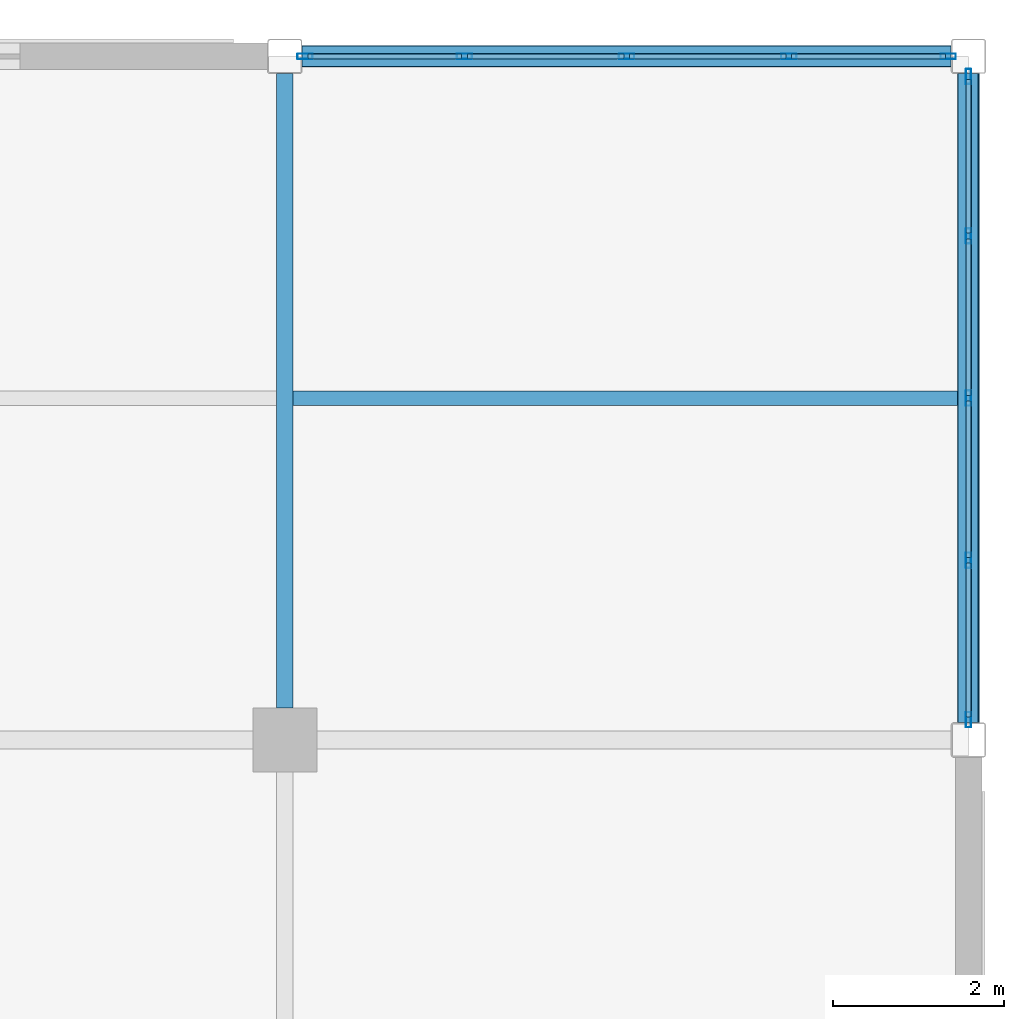
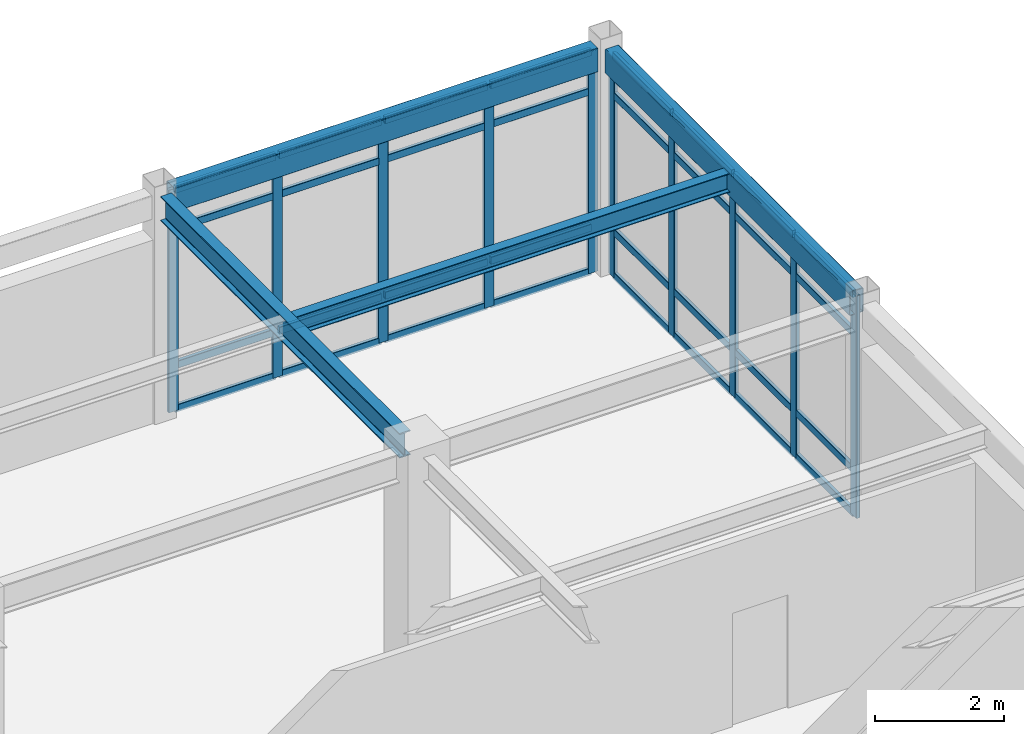
# One storey, part 73 of 111: 42 members, 4 beams, 2 elements without a shape of their own.
"""IFC4 building model written with IfcOpenShell, lengths in metres."""

from ifc_helpers import new_model, si_unit, direction, frame, origin, origin_2d, place, context, subcontext, project, spatial, hollow_rectangle, i_section, extrude, material, material_profile, profile_set, type_object, element, aggregate, save


model = new_model("IFC4")

# Units and contexts
model_context = context("Model", 3, precision=1e-05, world=origin(), true_north=direction((0.0, 1.0)))
body_context = subcontext(model_context, "Body", "Model", "MODEL_VIEW")
ifc_project = project(units=[si_unit("LENGTHUNIT", "METRE"), si_unit("AREAUNIT", "SQUARE_METRE"), si_unit("VOLUMEUNIT", "CUBIC_METRE"), si_unit("PLANEANGLEUNIT", "RADIAN"), si_unit("MASSUNIT", "GRAM", prefix="KILO")], contexts=[model_context])

# Site, building, storey
site_placement = place(None, origin())
site = spatial("IfcSite", under=ifc_project, at=site_placement, CompositionType="ELEMENT")
building_placement = place(site_placement, origin())
building = spatial("IfcBuilding", under=site, at=building_placement, Name="Solmirada Galleria", CompositionType="ELEMENT")
storey_placement = place(building_placement, frame((0.0, 0.0, 10.39990234375)))
storey = spatial("IfcBuildingStorey", under=building, at=storey_placement, Name="L02", CompositionType="ELEMENT", Elevation=10.39990234375)

# Beams
ifc_material_1 = material(Name="Steel S355 / ASTM A992 Grade 50", Category="steel")
ifc_material_profile_1 = material_profile(ifc_material_1, i_section(OverallWidth=0.194091796875, OverallDepth=0.468994140625, WebThickness=0.0126953125, FlangeThickness=0.0205078125, FilletRadius=0.013916015625, at=origin_2d()), Name="W18X71")
ifc_profile_set_1 = profile_set([ifc_material_profile_1], Name="Steel S355 / ASTM A992 Grade 50")
beam_type_1 = type_object("IfcBeamType", Name="BM-GIRD-W18B", PredefinedType="BEAM", material=ifc_profile_set_1)
beam_1_placement = place(storey_placement, frame((168.0, 112.375, 4.065673828125), z_axis=(0.0, 1.0, 0.0), x_axis=(-1.0, 0.0, 0.0)))
element("IfcBeam", 1, at=beam_1_placement, inside=storey, type_object=beam_type_1, Name="Primary girder L03 Y(168, 112..120)", PredefinedType="BEAM", context=body_context, shape_type="SweptSolid", body=[
    extrude(i_section(OverallWidth=0.194091796875, OverallDepth=0.468994140625, WebThickness=0.0126953125, FlangeThickness=0.0205078125, FilletRadius=0.013916015625, at=origin_2d()), origin(), (0.0, 0.0, 1.0), 7.422119140625),
])
ifc_material_profile_2 = material_profile(ifc_material_1, i_section(OverallWidth=0.172119140625, OverallDepth=0.35791015625, WebThickness=0.0078125, FlangeThickness=0.01318359375, FilletRadius=0.011962890625, at=origin_2d()), Name="W14X38")
ifc_profile_set_2 = profile_set([ifc_material_profile_2], Name="Steel S355 / ASTM A992 Grade 50")
beam_type_2 = type_object("IfcBeamType", Name="BM-JST-W14A", PredefinedType="JOIST", material=ifc_profile_set_2)
beam_2_placement = place(storey_placement, frame((168.096923828125, 116.0, 4.12109375), z_axis=(1.0, 0.0, 0.0), x_axis=(0.0, 1.0, 0.0)))
element("IfcBeam", 2, at=beam_2_placement, inside=storey, type_object=beam_type_2, Name="Composite floor joist L03 (168..176, 116.0)", PredefinedType="JOIST", context=body_context, shape_type="SweptSolid", body=[
    extrude(i_section(OverallWidth=0.172119140625, OverallDepth=0.35791015625, WebThickness=0.0078125, FlangeThickness=0.01318359375, FilletRadius=0.011962890625, at=origin_2d()), origin(), (0.0, 0.0, 1.0), 7.776123046875),
])
ifc_material_2 = material(Name="Steel S355 / ASTM A500 Grade C", Category="steel")
ifc_material_profile_3 = material_profile(ifc_material_2, hollow_rectangle(XDim=0.25390625, YDim=0.45703125, WallThickness=0.01171875, InnerFilletRadius=0.01171875, OuterFilletRadius=0.023681640625, at=origin_2d()), Name="HSS18X10X1/2")
ifc_profile_set_3 = profile_set([ifc_material_profile_3], Name="Steel S355 / ASTM A500 Grade C")
beam_type_3 = type_object("IfcBeamType", Name="BM-SPAND-W18", PredefinedType="SPANDREL", material=ifc_profile_set_3)
for number, where, z_axis, x_axis, name in (
    (3, (168.202880859375, 120.0, 4.071533203125), (1.0, 0.0, 0.0), (0.0, 1.0, 0.0), "Primary beam L03 X(168..176, 120)"),
    (4, (176.0, 112.202880859375, 4.071533203125), (0.0, 1.0, 0.0), (-1.0, 0.0, 0.0), "Primary girder L03 Y(176, 112..120)"),
):
    element("IfcBeam", number, at=place(storey_placement, frame(where, z_axis=z_axis, x_axis=x_axis)), inside=storey, type_object=beam_type_3, Name=name, PredefinedType="SPANDREL", context=body_context, shape_type="SweptSolid", body=[
        extrude(hollow_rectangle(XDim=0.25390625, YDim=0.45703125, WallThickness=0.01171875, InnerFilletRadius=0.01171875, OuterFilletRadius=0.023681640625, at=origin_2d()), origin(), (0.0, 0.0, 1.0), 7.59423828125),
    ])

# Curtain wall, members
ifc_material_3 = material(Name="Impact-resistant low-E double glazing", Category="glass")
curtain_wall_type = type_object("IfcCurtainWallType", Name="CW-FZ2-L02-B4-L076", PredefinedType="NOTDEFINED", material=ifc_material_3)
curtain_wall_1_placement = place(storey_placement, origin())
curtain_wall_1 = element("IfcCurtainWall", 5, at=curtain_wall_1_placement, inside=storey, type_object=curtain_wall_type, Name="Terrace and arcade storefront CW-L02-099", PredefinedType="NOTDEFINED")
ifc_material_4 = material(Name="Anodised aluminium framing", Category="aluminium")
ifc_material_profile_4 = material_profile(ifc_material_4, hollow_rectangle(XDim=0.06494140625, YDim=0.179931640625, WallThickness=0.00390625, InnerFilletRadius=0.00390625, OuterFilletRadius=0.008056640625, at=origin_2d()), Name="ALU-MULL-180X65")
ifc_profile_set_4 = profile_set([ifc_material_profile_4], Name="Anodised aluminium framing")
member_type_1 = type_object("IfcMemberType", Name="CW-MULL-180", PredefinedType="MULLION", material=ifc_profile_set_4)
member_1_placement = place(storey_placement, frame((168.237548828125, 120.0, 0.0), z_axis=(0.0, 0.0, 1.0), x_axis=(0.0, 1.0, 0.0)))
member_1 = element("IfcMember", 6, at=member_1_placement, type_object=member_type_1, Name="CW24 mullion 1", PredefinedType="MULLION", context=body_context, shape_type="SweptSolid", body=[
    extrude(hollow_rectangle(XDim=0.06494140625, YDim=0.179931640625, WallThickness=0.00390625, InnerFilletRadius=0.00390625, OuterFilletRadius=0.008056640625, at=origin_2d()), origin(), (0.0, 0.0, 1.0), 4.22021484375),
])
member_2_placement = place(storey_placement, frame((170.1025390625, 120.0, 0.0), z_axis=(0.0, 0.0, 1.0), x_axis=(0.0, 1.0, 0.0)))
member_2 = element("IfcMember", 7, at=member_2_placement, type_object=member_type_1, Name="CW24 mullion 2", PredefinedType="MULLION", context=body_context, shape_type="SweptSolid", body=[
    extrude(hollow_rectangle(XDim=0.06494140625, YDim=0.179931640625, WallThickness=0.00390625, InnerFilletRadius=0.00390625, OuterFilletRadius=0.008056640625, at=origin_2d()), origin(), (0.0, 0.0, 1.0), 4.22021484375),
])
member_3_placement = place(storey_placement, frame((172.0, 120.0, 0.0), z_axis=(0.0, 0.0, 1.0), x_axis=(0.0, 1.0, 0.0)))
member_3 = element("IfcMember", 8, at=member_3_placement, type_object=member_type_1, Name="CW24 mullion 3", PredefinedType="MULLION", context=body_context, shape_type="SweptSolid", body=[
    extrude(hollow_rectangle(XDim=0.06494140625, YDim=0.179931640625, WallThickness=0.00390625, InnerFilletRadius=0.00390625, OuterFilletRadius=0.008056640625, at=origin_2d()), origin(), (0.0, 0.0, 1.0), 4.22021484375),
])
member_4_placement = place(storey_placement, frame((173.8974609375, 120.0, 0.0), z_axis=(0.0, 0.0, 1.0), x_axis=(0.0, 1.0, 0.0)))
member_4 = element("IfcMember", 9, at=member_4_placement, type_object=member_type_1, Name="CW24 mullion 4", PredefinedType="MULLION", context=body_context, shape_type="SweptSolid", body=[
    extrude(hollow_rectangle(XDim=0.06494140625, YDim=0.179931640625, WallThickness=0.00390625, InnerFilletRadius=0.00390625, OuterFilletRadius=0.008056640625, at=origin_2d()), origin(), (0.0, 0.0, 1.0), 4.22021484375),
])
member_5_placement = place(storey_placement, frame((175.762451171875, 120.0, 0.0), z_axis=(0.0, 0.0, 1.0), x_axis=(0.0, 1.0, 0.0)))
member_5 = element("IfcMember", 10, at=member_5_placement, type_object=member_type_1, Name="CW24 mullion 5", PredefinedType="MULLION", context=body_context, shape_type="SweptSolid", body=[
    extrude(hollow_rectangle(XDim=0.06494140625, YDim=0.179931640625, WallThickness=0.00390625, InnerFilletRadius=0.00390625, OuterFilletRadius=0.008056640625, at=origin_2d()), origin(), (0.0, 0.0, 1.0), 4.22021484375),
])

curtain_wall_2_placement = place(storey_placement, origin())
curtain_wall_2 = element("IfcCurtainWall", 11, at=curtain_wall_2_placement, inside=storey, type_object=curtain_wall_type, Name="Terrace and arcade storefront CW-L02-100", PredefinedType="NOTDEFINED")
member_6_placement = place(storey_placement, frame((176.0, 119.762451171875, 0.0), z_axis=(0.0, 0.0, 1.0), x_axis=(1.0, 0.0, 0.0)))
member_6 = element("IfcMember", 12, at=member_6_placement, type_object=member_type_1, Name="CW24 mullion 1", PredefinedType="MULLION", context=body_context, shape_type="SweptSolid", body=[
    extrude(hollow_rectangle(XDim=0.06494140625, YDim=0.179931640625, WallThickness=0.00390625, InnerFilletRadius=0.00390625, OuterFilletRadius=0.008056640625, at=origin_2d()), origin(), (0.0, 0.0, 1.0), 4.22021484375),
])
member_7_placement = place(storey_placement, frame((176.0, 117.8974609375, 0.0), z_axis=(0.0, 0.0, 1.0), x_axis=(1.0, 0.0, 0.0)))
member_7 = element("IfcMember", 13, at=member_7_placement, type_object=member_type_1, Name="CW24 mullion 2", PredefinedType="MULLION", context=body_context, shape_type="SweptSolid", body=[
    extrude(hollow_rectangle(XDim=0.06494140625, YDim=0.179931640625, WallThickness=0.00390625, InnerFilletRadius=0.00390625, OuterFilletRadius=0.008056640625, at=origin_2d()), origin(), (0.0, 0.0, 1.0), 4.22021484375),
])
member_8_placement = place(storey_placement, frame((176.0, 116.0, 0.0), z_axis=(0.0, 0.0, 1.0), x_axis=(1.0, 0.0, 0.0)))
member_8 = element("IfcMember", 14, at=member_8_placement, type_object=member_type_1, Name="CW24 mullion 3", PredefinedType="MULLION", context=body_context, shape_type="SweptSolid", body=[
    extrude(hollow_rectangle(XDim=0.06494140625, YDim=0.179931640625, WallThickness=0.00390625, InnerFilletRadius=0.00390625, OuterFilletRadius=0.008056640625, at=origin_2d()), origin(), (0.0, 0.0, 1.0), 4.22021484375),
])
member_9_placement = place(storey_placement, frame((176.0, 114.1025390625, 0.0), z_axis=(0.0, 0.0, 1.0), x_axis=(1.0, 0.0, 0.0)))
member_9 = element("IfcMember", 15, at=member_9_placement, type_object=member_type_1, Name="CW24 mullion 4", PredefinedType="MULLION", context=body_context, shape_type="SweptSolid", body=[
    extrude(hollow_rectangle(XDim=0.06494140625, YDim=0.179931640625, WallThickness=0.00390625, InnerFilletRadius=0.00390625, OuterFilletRadius=0.008056640625, at=origin_2d()), origin(), (0.0, 0.0, 1.0), 4.22021484375),
])
member_10_placement = place(storey_placement, frame((176.0, 112.237548828125, 0.0), z_axis=(0.0, 0.0, 1.0), x_axis=(1.0, 0.0, 0.0)))
member_10 = element("IfcMember", 16, at=member_10_placement, type_object=member_type_1, Name="CW24 mullion 5", PredefinedType="MULLION", context=body_context, shape_type="SweptSolid", body=[
    extrude(hollow_rectangle(XDim=0.06494140625, YDim=0.179931640625, WallThickness=0.00390625, InnerFilletRadius=0.00390625, OuterFilletRadius=0.008056640625, at=origin_2d()), origin(), (0.0, 0.0, 1.0), 4.22021484375),
])

# Member
ifc_material_profile_5 = material_profile(ifc_material_4, hollow_rectangle(XDim=0.06494140625, YDim=0.139892578125, WallThickness=0.00341796875, InnerFilletRadius=0.00341796875, OuterFilletRadius=0.007080078125, at=origin_2d()), Name="ALU-TRAN-140X65")
ifc_profile_set_5 = profile_set([ifc_material_profile_5], Name="Anodised aluminium framing")
member_type_2 = type_object("IfcMemberType", Name="CW-TRAN-140", PredefinedType="USERDEFINED", material=ifc_profile_set_5)
member_11_placement = place(storey_placement, frame((168.27001953125, 120.0, 0.03271484375), z_axis=(1.0, 0.0, 0.0), x_axis=(0.0, 1.0, 0.0)))
member_11 = element("IfcMember", 17, at=member_11_placement, type_object=member_type_2, Name="CW24 transom 1.1", ObjectType="TRANSOM", PredefinedType="USERDEFINED", context=body_context, shape_type="SweptSolid", body=[
    extrude(hollow_rectangle(XDim=0.06494140625, YDim=0.139892578125, WallThickness=0.00341796875, InnerFilletRadius=0.00341796875, OuterFilletRadius=0.007080078125, at=origin_2d()), origin(), (0.0, 0.0, 1.0), 1.800048828125),
])

member_12_placement = place(storey_placement, frame((168.27001953125, 120.0, 0.860107421875), z_axis=(1.0, 0.0, 0.0), x_axis=(0.0, 1.0, 0.0)))
member_12 = element("IfcMember", 18, at=member_12_placement, type_object=member_type_2, Name="CW24 transom 1.2", ObjectType="TRANSOM", PredefinedType="USERDEFINED", context=body_context, shape_type="SweptSolid", body=[
    extrude(hollow_rectangle(XDim=0.06494140625, YDim=0.139892578125, WallThickness=0.00341796875, InnerFilletRadius=0.00341796875, OuterFilletRadius=0.007080078125, at=origin_2d()), origin(), (0.0, 0.0, 1.0), 1.800048828125),
])

member_13_placement = place(storey_placement, frame((168.27001953125, 120.0, 3.4501953125), z_axis=(1.0, 0.0, 0.0), x_axis=(0.0, 1.0, 0.0)))
member_13 = element("IfcMember", 19, at=member_13_placement, type_object=member_type_2, Name="CW24 transom 1.3", ObjectType="TRANSOM", PredefinedType="USERDEFINED", context=body_context, shape_type="SweptSolid", body=[
    extrude(hollow_rectangle(XDim=0.06494140625, YDim=0.139892578125, WallThickness=0.00341796875, InnerFilletRadius=0.00341796875, OuterFilletRadius=0.007080078125, at=origin_2d()), origin(), (0.0, 0.0, 1.0), 1.800048828125),
])

member_14_placement = place(storey_placement, frame((168.27001953125, 120.0, 4.1875), z_axis=(1.0, 0.0, 0.0), x_axis=(0.0, 1.0, 0.0)))
member_14 = element("IfcMember", 20, at=member_14_placement, type_object=member_type_2, Name="CW24 transom 1.4", ObjectType="TRANSOM", PredefinedType="USERDEFINED", context=body_context, shape_type="SweptSolid", body=[
    extrude(hollow_rectangle(XDim=0.06494140625, YDim=0.139892578125, WallThickness=0.00341796875, InnerFilletRadius=0.00341796875, OuterFilletRadius=0.007080078125, at=origin_2d()), origin(), (0.0, 0.0, 1.0), 1.800048828125),
])

member_15_placement = place(storey_placement, frame((170.135009765625, 120.0, 0.03271484375), z_axis=(1.0, 0.0, 0.0), x_axis=(0.0, 1.0, 0.0)))
member_15 = element("IfcMember", 21, at=member_15_placement, type_object=member_type_2, Name="CW24 transom 2.1", ObjectType="TRANSOM", PredefinedType="USERDEFINED", context=body_context, shape_type="SweptSolid", body=[
    extrude(hollow_rectangle(XDim=0.06494140625, YDim=0.139892578125, WallThickness=0.00341796875, InnerFilletRadius=0.00341796875, OuterFilletRadius=0.007080078125, at=origin_2d()), origin(), (0.0, 0.0, 1.0), 1.83251953125),
])

member_16_placement = place(storey_placement, frame((170.135009765625, 120.0, 0.860107421875), z_axis=(1.0, 0.0, 0.0), x_axis=(0.0, 1.0, 0.0)))
member_16 = element("IfcMember", 22, at=member_16_placement, type_object=member_type_2, Name="CW24 transom 2.2", ObjectType="TRANSOM", PredefinedType="USERDEFINED", context=body_context, shape_type="SweptSolid", body=[
    extrude(hollow_rectangle(XDim=0.06494140625, YDim=0.139892578125, WallThickness=0.00341796875, InnerFilletRadius=0.00341796875, OuterFilletRadius=0.007080078125, at=origin_2d()), origin(), (0.0, 0.0, 1.0), 1.83251953125),
])

member_17_placement = place(storey_placement, frame((170.135009765625, 120.0, 3.4501953125), z_axis=(1.0, 0.0, 0.0), x_axis=(0.0, 1.0, 0.0)))
member_17 = element("IfcMember", 23, at=member_17_placement, type_object=member_type_2, Name="CW24 transom 2.3", ObjectType="TRANSOM", PredefinedType="USERDEFINED", context=body_context, shape_type="SweptSolid", body=[
    extrude(hollow_rectangle(XDim=0.06494140625, YDim=0.139892578125, WallThickness=0.00341796875, InnerFilletRadius=0.00341796875, OuterFilletRadius=0.007080078125, at=origin_2d()), origin(), (0.0, 0.0, 1.0), 1.83251953125),
])

member_18_placement = place(storey_placement, frame((170.135009765625, 120.0, 4.1875), z_axis=(1.0, 0.0, 0.0), x_axis=(0.0, 1.0, 0.0)))
member_18 = element("IfcMember", 24, at=member_18_placement, type_object=member_type_2, Name="CW24 transom 2.4", ObjectType="TRANSOM", PredefinedType="USERDEFINED", context=body_context, shape_type="SweptSolid", body=[
    extrude(hollow_rectangle(XDim=0.06494140625, YDim=0.139892578125, WallThickness=0.00341796875, InnerFilletRadius=0.00341796875, OuterFilletRadius=0.007080078125, at=origin_2d()), origin(), (0.0, 0.0, 1.0), 1.83251953125),
])

member_19_placement = place(storey_placement, frame((172.032470703125, 120.0, 0.03271484375), z_axis=(1.0, 0.0, 0.0), x_axis=(0.0, 1.0, 0.0)))
member_19 = element("IfcMember", 25, at=member_19_placement, type_object=member_type_2, Name="CW24 transom 3.1", ObjectType="TRANSOM", PredefinedType="USERDEFINED", context=body_context, shape_type="SweptSolid", body=[
    extrude(hollow_rectangle(XDim=0.06494140625, YDim=0.139892578125, WallThickness=0.00341796875, InnerFilletRadius=0.00341796875, OuterFilletRadius=0.007080078125, at=origin_2d()), origin(), (0.0, 0.0, 1.0), 1.83251953125),
])

member_20_placement = place(storey_placement, frame((172.032470703125, 120.0, 0.860107421875), z_axis=(1.0, 0.0, 0.0), x_axis=(0.0, 1.0, 0.0)))
member_20 = element("IfcMember", 26, at=member_20_placement, type_object=member_type_2, Name="CW24 transom 3.2", ObjectType="TRANSOM", PredefinedType="USERDEFINED", context=body_context, shape_type="SweptSolid", body=[
    extrude(hollow_rectangle(XDim=0.06494140625, YDim=0.139892578125, WallThickness=0.00341796875, InnerFilletRadius=0.00341796875, OuterFilletRadius=0.007080078125, at=origin_2d()), origin(), (0.0, 0.0, 1.0), 1.83251953125),
])

member_21_placement = place(storey_placement, frame((172.032470703125, 120.0, 3.4501953125), z_axis=(1.0, 0.0, 0.0), x_axis=(0.0, 1.0, 0.0)))
member_21 = element("IfcMember", 27, at=member_21_placement, type_object=member_type_2, Name="CW24 transom 3.3", ObjectType="TRANSOM", PredefinedType="USERDEFINED", context=body_context, shape_type="SweptSolid", body=[
    extrude(hollow_rectangle(XDim=0.06494140625, YDim=0.139892578125, WallThickness=0.00341796875, InnerFilletRadius=0.00341796875, OuterFilletRadius=0.007080078125, at=origin_2d()), origin(), (0.0, 0.0, 1.0), 1.83251953125),
])

member_22_placement = place(storey_placement, frame((172.032470703125, 120.0, 4.1875), z_axis=(1.0, 0.0, 0.0), x_axis=(0.0, 1.0, 0.0)))
member_22 = element("IfcMember", 28, at=member_22_placement, type_object=member_type_2, Name="CW24 transom 3.4", ObjectType="TRANSOM", PredefinedType="USERDEFINED", context=body_context, shape_type="SweptSolid", body=[
    extrude(hollow_rectangle(XDim=0.06494140625, YDim=0.139892578125, WallThickness=0.00341796875, InnerFilletRadius=0.00341796875, OuterFilletRadius=0.007080078125, at=origin_2d()), origin(), (0.0, 0.0, 1.0), 1.83251953125),
])

member_23_placement = place(storey_placement, frame((173.929931640625, 120.0, 0.03271484375), z_axis=(1.0, 0.0, 0.0), x_axis=(0.0, 1.0, 0.0)))
member_23 = element("IfcMember", 29, at=member_23_placement, type_object=member_type_2, Name="CW24 transom 4.1", ObjectType="TRANSOM", PredefinedType="USERDEFINED", context=body_context, shape_type="SweptSolid", body=[
    extrude(hollow_rectangle(XDim=0.06494140625, YDim=0.139892578125, WallThickness=0.00341796875, InnerFilletRadius=0.00341796875, OuterFilletRadius=0.007080078125, at=origin_2d()), origin(), (0.0, 0.0, 1.0), 1.800048828125),
])

member_24_placement = place(storey_placement, frame((173.929931640625, 120.0, 0.860107421875), z_axis=(1.0, 0.0, 0.0), x_axis=(0.0, 1.0, 0.0)))
member_24 = element("IfcMember", 30, at=member_24_placement, type_object=member_type_2, Name="CW24 transom 4.2", ObjectType="TRANSOM", PredefinedType="USERDEFINED", context=body_context, shape_type="SweptSolid", body=[
    extrude(hollow_rectangle(XDim=0.06494140625, YDim=0.139892578125, WallThickness=0.00341796875, InnerFilletRadius=0.00341796875, OuterFilletRadius=0.007080078125, at=origin_2d()), origin(), (0.0, 0.0, 1.0), 1.800048828125),
])

member_25_placement = place(storey_placement, frame((173.929931640625, 120.0, 3.4501953125), z_axis=(1.0, 0.0, 0.0), x_axis=(0.0, 1.0, 0.0)))
member_25 = element("IfcMember", 31, at=member_25_placement, type_object=member_type_2, Name="CW24 transom 4.3", ObjectType="TRANSOM", PredefinedType="USERDEFINED", context=body_context, shape_type="SweptSolid", body=[
    extrude(hollow_rectangle(XDim=0.06494140625, YDim=0.139892578125, WallThickness=0.00341796875, InnerFilletRadius=0.00341796875, OuterFilletRadius=0.007080078125, at=origin_2d()), origin(), (0.0, 0.0, 1.0), 1.800048828125),
])

member_26_placement = place(storey_placement, frame((173.929931640625, 120.0, 4.1875), z_axis=(1.0, 0.0, 0.0), x_axis=(0.0, 1.0, 0.0)))
member_26 = element("IfcMember", 32, at=member_26_placement, type_object=member_type_2, Name="CW24 transom 4.4", ObjectType="TRANSOM", PredefinedType="USERDEFINED", context=body_context, shape_type="SweptSolid", body=[
    extrude(hollow_rectangle(XDim=0.06494140625, YDim=0.139892578125, WallThickness=0.00341796875, InnerFilletRadius=0.00341796875, OuterFilletRadius=0.007080078125, at=origin_2d()), origin(), (0.0, 0.0, 1.0), 1.800048828125),
])

aggregate(curtain_wall_1, [member_1, member_2, member_3, member_4, member_5, member_11, member_12, member_13, member_14, member_15, member_16, member_17, member_18, member_19, member_20, member_21, member_22, member_23, member_24, member_25, member_26])

member_27_placement = place(storey_placement, frame((176.0, 119.72998046875, 0.03271484375), z_axis=(0.0, -1.0, 0.0), x_axis=(1.0, 0.0, 0.0)))
member_27 = element("IfcMember", 33, at=member_27_placement, type_object=member_type_2, Name="CW24 transom 1.1", ObjectType="TRANSOM", PredefinedType="USERDEFINED", context=body_context, shape_type="SweptSolid", body=[
    extrude(hollow_rectangle(XDim=0.06494140625, YDim=0.139892578125, WallThickness=0.00341796875, InnerFilletRadius=0.00341796875, OuterFilletRadius=0.007080078125, at=origin_2d()), origin(), (0.0, 0.0, 1.0), 1.800048828125),
])

member_28_placement = place(storey_placement, frame((176.0, 119.72998046875, 0.860107421875), z_axis=(0.0, -1.0, 0.0), x_axis=(1.0, 0.0, 0.0)))
member_28 = element("IfcMember", 34, at=member_28_placement, type_object=member_type_2, Name="CW24 transom 1.2", ObjectType="TRANSOM", PredefinedType="USERDEFINED", context=body_context, shape_type="SweptSolid", body=[
    extrude(hollow_rectangle(XDim=0.06494140625, YDim=0.139892578125, WallThickness=0.00341796875, InnerFilletRadius=0.00341796875, OuterFilletRadius=0.007080078125, at=origin_2d()), origin(), (0.0, 0.0, 1.0), 1.800048828125),
])

member_29_placement = place(storey_placement, frame((176.0, 119.72998046875, 3.4501953125), z_axis=(0.0, -1.0, 0.0), x_axis=(1.0, 0.0, 0.0)))
member_29 = element("IfcMember", 35, at=member_29_placement, type_object=member_type_2, Name="CW24 transom 1.3", ObjectType="TRANSOM", PredefinedType="USERDEFINED", context=body_context, shape_type="SweptSolid", body=[
    extrude(hollow_rectangle(XDim=0.06494140625, YDim=0.139892578125, WallThickness=0.00341796875, InnerFilletRadius=0.00341796875, OuterFilletRadius=0.007080078125, at=origin_2d()), origin(), (0.0, 0.0, 1.0), 1.800048828125),
])

member_30_placement = place(storey_placement, frame((176.0, 119.72998046875, 4.1875), z_axis=(0.0, -1.0, 0.0), x_axis=(1.0, 0.0, 0.0)))
member_30 = element("IfcMember", 36, at=member_30_placement, type_object=member_type_2, Name="CW24 transom 1.4", ObjectType="TRANSOM", PredefinedType="USERDEFINED", context=body_context, shape_type="SweptSolid", body=[
    extrude(hollow_rectangle(XDim=0.06494140625, YDim=0.139892578125, WallThickness=0.00341796875, InnerFilletRadius=0.00341796875, OuterFilletRadius=0.007080078125, at=origin_2d()), origin(), (0.0, 0.0, 1.0), 1.800048828125),
])

member_31_placement = place(storey_placement, frame((176.0, 117.864990234375, 0.03271484375), z_axis=(0.0, -1.0, 0.0), x_axis=(1.0, 0.0, 0.0)))
member_31 = element("IfcMember", 37, at=member_31_placement, type_object=member_type_2, Name="CW24 transom 2.1", ObjectType="TRANSOM", PredefinedType="USERDEFINED", context=body_context, shape_type="SweptSolid", body=[
    extrude(hollow_rectangle(XDim=0.06494140625, YDim=0.139892578125, WallThickness=0.00341796875, InnerFilletRadius=0.00341796875, OuterFilletRadius=0.007080078125, at=origin_2d()), origin(), (0.0, 0.0, 1.0), 1.83251953125),
])

member_32_placement = place(storey_placement, frame((176.0, 117.864990234375, 0.860107421875), z_axis=(0.0, -1.0, 0.0), x_axis=(1.0, 0.0, 0.0)))
member_32 = element("IfcMember", 38, at=member_32_placement, type_object=member_type_2, Name="CW24 transom 2.2", ObjectType="TRANSOM", PredefinedType="USERDEFINED", context=body_context, shape_type="SweptSolid", body=[
    extrude(hollow_rectangle(XDim=0.06494140625, YDim=0.139892578125, WallThickness=0.00341796875, InnerFilletRadius=0.00341796875, OuterFilletRadius=0.007080078125, at=origin_2d()), origin(), (0.0, 0.0, 1.0), 1.83251953125),
])

member_33_placement = place(storey_placement, frame((176.0, 117.864990234375, 3.4501953125), z_axis=(0.0, -1.0, 0.0), x_axis=(1.0, 0.0, 0.0)))
member_33 = element("IfcMember", 39, at=member_33_placement, type_object=member_type_2, Name="CW24 transom 2.3", ObjectType="TRANSOM", PredefinedType="USERDEFINED", context=body_context, shape_type="SweptSolid", body=[
    extrude(hollow_rectangle(XDim=0.06494140625, YDim=0.139892578125, WallThickness=0.00341796875, InnerFilletRadius=0.00341796875, OuterFilletRadius=0.007080078125, at=origin_2d()), origin(), (0.0, 0.0, 1.0), 1.83251953125),
])

member_34_placement = place(storey_placement, frame((176.0, 117.864990234375, 4.1875), z_axis=(0.0, -1.0, 0.0), x_axis=(1.0, 0.0, 0.0)))
member_34 = element("IfcMember", 40, at=member_34_placement, type_object=member_type_2, Name="CW24 transom 2.4", ObjectType="TRANSOM", PredefinedType="USERDEFINED", context=body_context, shape_type="SweptSolid", body=[
    extrude(hollow_rectangle(XDim=0.06494140625, YDim=0.139892578125, WallThickness=0.00341796875, InnerFilletRadius=0.00341796875, OuterFilletRadius=0.007080078125, at=origin_2d()), origin(), (0.0, 0.0, 1.0), 1.83251953125),
])

member_35_placement = place(storey_placement, frame((176.0, 115.967529296875, 0.03271484375), z_axis=(0.0, -1.0, 0.0), x_axis=(1.0, 0.0, 0.0)))
member_35 = element("IfcMember", 41, at=member_35_placement, type_object=member_type_2, Name="CW24 transom 3.1", ObjectType="TRANSOM", PredefinedType="USERDEFINED", context=body_context, shape_type="SweptSolid", body=[
    extrude(hollow_rectangle(XDim=0.06494140625, YDim=0.139892578125, WallThickness=0.00341796875, InnerFilletRadius=0.00341796875, OuterFilletRadius=0.007080078125, at=origin_2d()), origin(), (0.0, 0.0, 1.0), 1.83251953125),
])

member_36_placement = place(storey_placement, frame((176.0, 115.967529296875, 0.860107421875), z_axis=(0.0, -1.0, 0.0), x_axis=(1.0, 0.0, 0.0)))
member_36 = element("IfcMember", 42, at=member_36_placement, type_object=member_type_2, Name="CW24 transom 3.2", ObjectType="TRANSOM", PredefinedType="USERDEFINED", context=body_context, shape_type="SweptSolid", body=[
    extrude(hollow_rectangle(XDim=0.06494140625, YDim=0.139892578125, WallThickness=0.00341796875, InnerFilletRadius=0.00341796875, OuterFilletRadius=0.007080078125, at=origin_2d()), origin(), (0.0, 0.0, 1.0), 1.83251953125),
])

member_37_placement = place(storey_placement, frame((176.0, 115.967529296875, 3.4501953125), z_axis=(0.0, -1.0, 0.0), x_axis=(1.0, 0.0, 0.0)))
member_37 = element("IfcMember", 43, at=member_37_placement, type_object=member_type_2, Name="CW24 transom 3.3", ObjectType="TRANSOM", PredefinedType="USERDEFINED", context=body_context, shape_type="SweptSolid", body=[
    extrude(hollow_rectangle(XDim=0.06494140625, YDim=0.139892578125, WallThickness=0.00341796875, InnerFilletRadius=0.00341796875, OuterFilletRadius=0.007080078125, at=origin_2d()), origin(), (0.0, 0.0, 1.0), 1.83251953125),
])

member_38_placement = place(storey_placement, frame((176.0, 115.967529296875, 4.1875), z_axis=(0.0, -1.0, 0.0), x_axis=(1.0, 0.0, 0.0)))
member_38 = element("IfcMember", 44, at=member_38_placement, type_object=member_type_2, Name="CW24 transom 3.4", ObjectType="TRANSOM", PredefinedType="USERDEFINED", context=body_context, shape_type="SweptSolid", body=[
    extrude(hollow_rectangle(XDim=0.06494140625, YDim=0.139892578125, WallThickness=0.00341796875, InnerFilletRadius=0.00341796875, OuterFilletRadius=0.007080078125, at=origin_2d()), origin(), (0.0, 0.0, 1.0), 1.83251953125),
])

member_39_placement = place(storey_placement, frame((176.0, 114.070068359375, 0.03271484375), z_axis=(0.0, -1.0, 0.0), x_axis=(1.0, 0.0, 0.0)))
member_39 = element("IfcMember", 45, at=member_39_placement, type_object=member_type_2, Name="CW24 transom 4.1", ObjectType="TRANSOM", PredefinedType="USERDEFINED", context=body_context, shape_type="SweptSolid", body=[
    extrude(hollow_rectangle(XDim=0.06494140625, YDim=0.139892578125, WallThickness=0.00341796875, InnerFilletRadius=0.00341796875, OuterFilletRadius=0.007080078125, at=origin_2d()), origin(), (0.0, 0.0, 1.0), 1.800048828125),
])

member_40_placement = place(storey_placement, frame((176.0, 114.070068359375, 0.860107421875), z_axis=(0.0, -1.0, 0.0), x_axis=(1.0, 0.0, 0.0)))
member_40 = element("IfcMember", 46, at=member_40_placement, type_object=member_type_2, Name="CW24 transom 4.2", ObjectType="TRANSOM", PredefinedType="USERDEFINED", context=body_context, shape_type="SweptSolid", body=[
    extrude(hollow_rectangle(XDim=0.06494140625, YDim=0.139892578125, WallThickness=0.00341796875, InnerFilletRadius=0.00341796875, OuterFilletRadius=0.007080078125, at=origin_2d()), origin(), (0.0, 0.0, 1.0), 1.800048828125),
])

member_41_placement = place(storey_placement, frame((176.0, 114.070068359375, 3.4501953125), z_axis=(0.0, -1.0, 0.0), x_axis=(1.0, 0.0, 0.0)))
member_41 = element("IfcMember", 47, at=member_41_placement, type_object=member_type_2, Name="CW24 transom 4.3", ObjectType="TRANSOM", PredefinedType="USERDEFINED", context=body_context, shape_type="SweptSolid", body=[
    extrude(hollow_rectangle(XDim=0.06494140625, YDim=0.139892578125, WallThickness=0.00341796875, InnerFilletRadius=0.00341796875, OuterFilletRadius=0.007080078125, at=origin_2d()), origin(), (0.0, 0.0, 1.0), 1.800048828125),
])

member_42_placement = place(storey_placement, frame((176.0, 114.070068359375, 4.1875), z_axis=(0.0, -1.0, 0.0), x_axis=(1.0, 0.0, 0.0)))
member_42 = element("IfcMember", 48, at=member_42_placement, type_object=member_type_2, Name="CW24 transom 4.4", ObjectType="TRANSOM", PredefinedType="USERDEFINED", context=body_context, shape_type="SweptSolid", body=[
    extrude(hollow_rectangle(XDim=0.06494140625, YDim=0.139892578125, WallThickness=0.00341796875, InnerFilletRadius=0.00341796875, OuterFilletRadius=0.007080078125, at=origin_2d()), origin(), (0.0, 0.0, 1.0), 1.800048828125),
])

aggregate(curtain_wall_2, [member_6, member_7, member_8, member_9, member_10, member_27, member_28, member_29, member_30, member_31, member_32, member_33, member_34, member_35, member_36, member_37, member_38, member_39, member_40, member_41, member_42])

save(model, "model.ifc")
